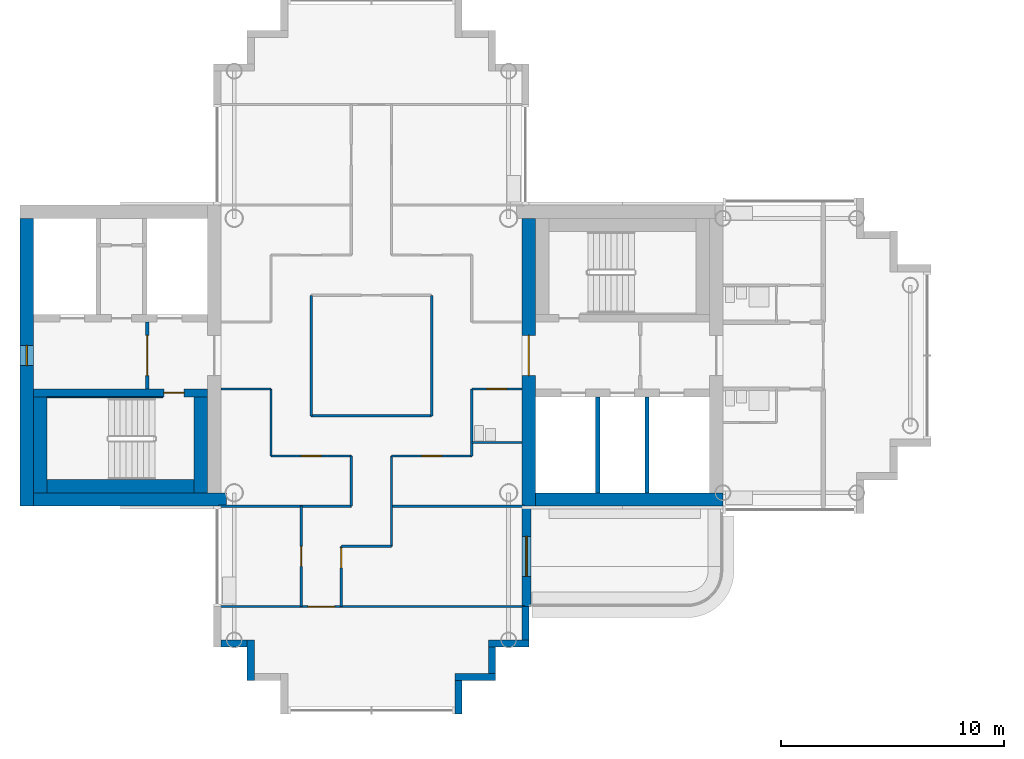
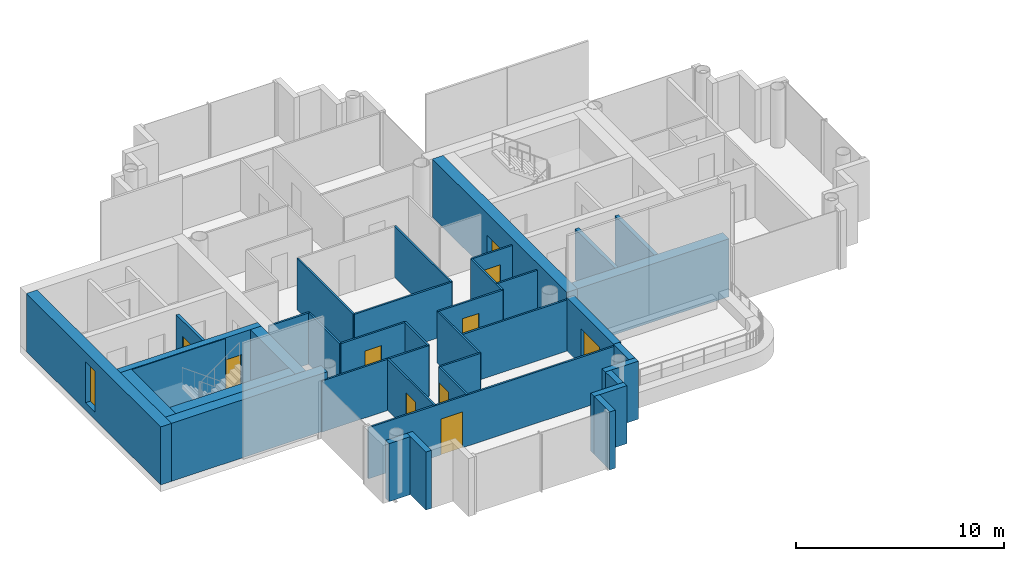
# One storey, part 6 of 18: 38 walls, 10 doors, 1 window, 11 openings.
"""IFC4 building model written with IfcOpenShell, lengths in metres."""

from ifc_helpers import new_model, si_unit, direction, frame, frame_2d, origin, place, context, subcontext, project, spatial, rectangle, extrude, material, layer, layer_set, type_object, element, fill, save


model = new_model("IFC4")

# Units and contexts
model_context = context("Model", 3, precision=1e-05, world=origin(), true_north=direction((0.0, 1.0)))
body_context = subcontext(model_context, "Body", "Model", "MODEL_VIEW")
ifc_project = project(units=[si_unit("LENGTHUNIT", "METRE"), si_unit("AREAUNIT", "SQUARE_METRE"), si_unit("VOLUMEUNIT", "CUBIC_METRE"), si_unit("PLANEANGLEUNIT", "RADIAN"), si_unit("MASSUNIT", "GRAM", prefix="KILO")], contexts=[model_context])

# Site, building, storey
site_placement = place(None, origin())
site = spatial("IfcSite", under=ifc_project, at=site_placement, CompositionType="ELEMENT")
building_placement = place(site_placement, origin())
building = spatial("IfcBuilding", under=site, at=building_placement, Name="Ipe Terrace Towers", CompositionType="ELEMENT")
storey_placement = place(building_placement, frame((0.0, 0.0, 226.60009765625)))
storey = spatial("IfcBuildingStorey", under=building, at=storey_placement, Name="L63", CompositionType="ELEMENT", Elevation=226.60009765625)

# Wall, opening, door
ifc_material_1 = material(Name="Concrete C40/50 with buff precast cladding", Category="concrete")
ifc_layer_1 = layer(ifc_material_1, 0.39990234375)
ifc_layer_set_1 = layer_set([ifc_layer_1], Name="BALCONY BAY WALL 400")
wall_type_1 = type_object("IfcWallType", Name="BALCONY BAY WALL 400", PredefinedType="STANDARD", material=ifc_layer_set_1)
wall_1_placement = place(storey_placement, frame((-29.050048828125, -11.25, -0.02001953125), z_axis=(0.0, 0.0, 1.0), x_axis=(0.0, 1.0, 0.0)))
wall_1 = element("IfcWall", 1, at=wall_1_placement, inside=storey, type_object=wall_type_1, Name="T1-W-L63-14a wall", PredefinedType="STANDARD", context=body_context, shape_type="SweptSolid", body=[
    extrude(rectangle(XDim=4.5, YDim=0.39990234375, at=frame_2d((2.25, 0.0))), origin(), (0.0, 0.0, 1.0), 3.119873046875),
])
opening_1_placement = place(wall_1_placement, frame((1.35009765625, 0.0, 0.02001953125)))
opening_1 = element("IfcOpeningElement", 2, at=opening_1_placement, cuts=wall_1, Name="Opening T1-D-L63-14", PredefinedType="OPENING", context=body_context, shape_type="SweptSolid", body=[
    extrude(rectangle(XDim=1.800048828125, YDim=2.10009765625, at=frame_2d((0.89990234375, 1.050048828125))), frame((0.0, 0.2099609375, 0.0), z_axis=(0.0, -1.0, 0.0), x_axis=(1.0, 0.0, 0.0)), (0.0, 0.0, 1.0), 0.419921875),
])
ifc_material_2 = material(Name="Aluminium alloy 6063-T6 framed glazed door", Category="aluminium")
door_type_1 = type_object("IfcDoorType", Name="BALCONY DOOR 1800 x 2100 LEFT", OperationType="SINGLE_SWING_LEFT", PredefinedType="DOOR", material=ifc_material_2)
door_1_placement = place(opening_1_placement, origin())
door_1 = element("IfcDoor", 3, at=door_1_placement, inside=storey, type_object=door_type_1, Name="DB1 door", OperationType="SINGLE_SWING_LEFT", OverallHeight=2.10009765625, OverallWidth=1.800048828125, PredefinedType="DOOR", context=body_context, shape_type="SweptSolid", body=[
    extrude(rectangle(XDim=1.800048828125, YDim=2.10009765625, at=frame_2d((0.89990234375, 1.050048828125))), frame((0.0, 0.02490234375, 0.0), z_axis=(0.0, -1.0, 0.0), x_axis=(1.0, 0.0, 0.0)), (0.0, 0.0, 1.0), 0.050048828125),
])
fill(opening_1, door_1)

# Walls
ifc_material_3 = material(Name="Concrete C40/50 with buff precast cladding", Category="concrete")
ifc_layer_2 = layer(ifc_material_3, 0.320068359375)
ifc_layer_set_2 = layer_set([ifc_layer_2], Name="BUFF CLADDING WALL 320")
wall_type_2 = type_object("IfcWallType", Name="BUFF CLADDING WALL 320", PredefinedType="STANDARD", material=ifc_layer_set_2)
wall_2_placement = place(storey_placement, frame((-42.75, -12.909912109375, -0.300048828125), z_axis=(0.0, 0.0, 1.0), x_axis=(1.0, 0.0, 0.0)))
element("IfcWall", 4, at=wall_2_placement, inside=storey, type_object=wall_type_2, Name="T1-W-L63-04a wall", PredefinedType="STANDARD", context=body_context, shape_type="SweptSolid", body=[
    extrude(rectangle(XDim=1.179931640625, YDim=0.320068359375, at=frame_2d((0.58984375, 0.0))), origin(), (0.0, 0.0, 1.0), 3.39990234375),
])
wall_3_placement = place(storey_placement, frame((-41.409912109375, -12.75, -0.300048828125), z_axis=(0.0, 0.0, 1.0), x_axis=(0.0, -1.0, 0.0)))
element("IfcWall", 5, at=wall_3_placement, inside=storey, type_object=wall_type_2, Name="T1-W-L63-05a wall", PredefinedType="STANDARD", context=body_context, shape_type="SweptSolid", body=[
    extrude(rectangle(XDim=1.820068359375, YDim=0.320068359375, at=frame_2d((0.91015625, 0.0))), origin(), (0.0, 0.0, 1.0), 3.39990234375),
])
wall_4_placement = place(storey_placement, frame((-32.090087890625, -16.070068359375, -0.300048828125), z_axis=(0.0, 0.0, 1.0), x_axis=(0.0, 1.0, 0.0)))
element("IfcWall", 6, at=wall_4_placement, inside=storey, type_object=wall_type_2, Name="T1-W-L63-09a wall", PredefinedType="STANDARD", context=body_context, shape_type="SweptSolid", body=[
    extrude(rectangle(XDim=1.5, YDim=0.320068359375, at=frame_2d((0.75, 0.0))), origin(), (0.0, 0.0, 1.0), 3.39990234375),
])
wall_5_placement = place(storey_placement, frame((-32.25, -14.409912109375, -0.300048828125), z_axis=(0.0, 0.0, 1.0), x_axis=(1.0, 0.0, 0.0)))
element("IfcWall", 7, at=wall_5_placement, inside=storey, type_object=wall_type_2, Name="T1-W-L63-10a wall", PredefinedType="STANDARD", context=body_context, shape_type="SweptSolid", body=[
    extrude(rectangle(XDim=1.820068359375, YDim=0.320068359375, at=frame_2d((0.91015625, 0.0))), origin(), (0.0, 0.0, 1.0), 3.39990234375),
])
wall_6_placement = place(storey_placement, frame((-30.590087890625, -14.25, -0.300048828125), z_axis=(0.0, 0.0, 1.0), x_axis=(0.0, 1.0, 0.0)))
element("IfcWall", 8, at=wall_6_placement, inside=storey, type_object=wall_type_2, Name="T1-W-L63-11a wall", PredefinedType="STANDARD", context=body_context, shape_type="SweptSolid", body=[
    extrude(rectangle(XDim=1.179931640625, YDim=0.320068359375, at=frame_2d((0.58984375, 0.0))), origin(), (0.0, 0.0, 1.0), 3.39990234375),
])
wall_7_placement = place(storey_placement, frame((-30.75, -12.909912109375, -0.300048828125), z_axis=(0.0, 0.0, 1.0), x_axis=(1.0, 0.0, 0.0)))
element("IfcWall", 9, at=wall_7_placement, inside=storey, type_object=wall_type_2, Name="T1-W-L63-12a wall", PredefinedType="STANDARD", context=body_context, shape_type="SweptSolid", body=[
    extrude(rectangle(XDim=1.820068359375, YDim=0.320068359375, at=frame_2d((0.91015625, 0.0))), origin(), (0.0, 0.0, 1.0), 3.39990234375),
])
wall_8_placement = place(storey_placement, frame((-29.090087890625, -12.75, -0.300048828125), z_axis=(0.0, 0.0, 1.0), x_axis=(0.0, 1.0, 0.0)))
element("IfcWall", 10, at=wall_8_placement, inside=storey, type_object=wall_type_2, Name="T1-W-L63-13a wall", PredefinedType="STANDARD", context=body_context, shape_type="SweptSolid", body=[
    extrude(rectangle(XDim=1.5, YDim=0.320068359375, at=frame_2d((0.75, 0.0))), origin(), (0.0, 0.0, 1.0), 3.39990234375),
])
ifc_material_4 = material(Name="Gypsum board partition", Category="plasterboard")
ifc_layer_3 = layer(ifc_material_4, 0.10009765625)
ifc_layer_set_3 = layer_set([ifc_layer_3], Name="Gypsum board partition 100 mm")
wall_type_3 = type_object("IfcWallType", Name="Gypsum board partition 100 mm", PredefinedType="PARTITIONING", material=ifc_layer_set_3)
wall_9_placement = place(storey_placement, frame((-40.5, -4.5, 0.0), z_axis=(0.0, 0.0, 1.0), x_axis=(0.0, 1.0, 0.0)))
element("IfcWall", 11, at=wall_9_placement, inside=storey, type_object=wall_type_3, Name="Gypsum board partition T1 L63 W01", PredefinedType="PARTITIONING", context=body_context, shape_type="SweptSolid", body=[
    extrude(rectangle(XDim=3.0, YDim=0.10009765625, at=frame_2d((1.5, 0.0))), origin(), (0.0, 0.0, 1.0), 3.0),
])

# Wall, opening, door
wall_10_placement = place(storey_placement, frame((-39.14990234375, -11.25, 0.0), z_axis=(0.0, 0.0, 1.0), x_axis=(0.0, 1.0, 0.0)))
wall_10 = element("IfcWall", 12, at=wall_10_placement, inside=storey, type_object=wall_type_3, Name="Gypsum board partition T1 L63 W03", PredefinedType="PARTITIONING", context=body_context, shape_type="SweptSolid", body=[
    extrude(rectangle(XDim=4.5, YDim=0.10009765625, at=frame_2d((2.25, 0.0))), origin(), (0.0, 0.0, 1.0), 3.0),
])
opening_2_placement = place(wall_10_placement, frame((1.800048828125, 0.0, 0.0)))
opening_2 = element("IfcOpeningElement", 13, at=opening_2_placement, cuts=wall_10, Name="Opening T1-Z4A-11", PredefinedType="OPENING", context=body_context, shape_type="SweptSolid", body=[
    extrude(rectangle(XDim=0.89990234375, YDim=2.10009765625, at=frame_2d((0.449951171875, 1.050048828125))), frame((0.0, 0.06005859375, 0.0), z_axis=(0.0, -1.0, 0.0), x_axis=(1.0, 0.0, 0.0)), (0.0, 0.0, 1.0), 0.1201171875),
])
ifc_material_5 = material(Name="Timber door leaf", Category="wood")
door_type_2 = type_object("IfcDoorType", Name="Lounge door 900 x 2100", OperationType="NOTDEFINED", PredefinedType="DOOR", material=ifc_material_5)
door_2_placement = place(opening_2_placement, origin())
door_2 = element("IfcDoor", 14, at=door_2_placement, inside=storey, type_object=door_type_2, Name="Lounge door T1-Z4A-11", OperationType="SINGLE_SWING_LEFT", OverallHeight=2.10009765625, OverallWidth=0.89990234375, PredefinedType="DOOR", context=body_context, shape_type="SweptSolid", body=[
    extrude(rectangle(XDim=0.89990234375, YDim=2.10009765625, at=frame_2d((0.449951171875, 1.050048828125))), frame((0.0, 0.02490234375, 0.0), z_axis=(0.0, -1.0, 0.0), x_axis=(1.0, 0.0, 0.0)), (0.0, 0.0, 1.0), 0.050048828125),
])
fill(opening_2, door_2)

# Wall
wall_11_placement = place(storey_placement, frame((-38.699951171875, -2.699951171875, 0.0), z_axis=(0.0, 0.0, 1.0), x_axis=(0.0, 1.0, 0.0)))
element("IfcWall", 15, at=wall_11_placement, inside=storey, type_object=wall_type_3, Name="Gypsum board partition T1 L63 W04", PredefinedType="PARTITIONING", context=body_context, shape_type="SweptSolid", body=[
    extrude(rectangle(XDim=5.39990234375, YDim=0.10009765625, at=frame_2d((2.699951171875, 0.0))), origin(), (0.0, 0.0, 1.0), 3.0),
])

# Wall, opening, door
wall_12_placement = place(storey_placement, frame((-37.35009765625, -11.25, 0.0), z_axis=(0.0, 0.0, 1.0), x_axis=(0.0, 1.0, 0.0)))
wall_12 = element("IfcWall", 16, at=wall_12_placement, inside=storey, type_object=wall_type_3, Name="Gypsum board partition T1 L63 W05", PredefinedType="PARTITIONING", context=body_context, shape_type="SweptSolid", body=[
    extrude(rectangle(XDim=2.699951171875, YDim=0.10009765625, at=frame_2d((1.35009765625, 0.0))), origin(), (0.0, 0.0, 1.0), 3.0),
])
opening_3_placement = place(wall_12_placement, frame((1.72998046875, 0.0, 0.0)))
opening_3 = element("IfcOpeningElement", 17, at=opening_3_placement, cuts=wall_12, Name="Opening T1-Z4A-10", PredefinedType="OPENING", context=body_context, shape_type="SweptSolid", body=[
    extrude(rectangle(XDim=0.89990234375, YDim=2.10009765625, at=frame_2d((0.449951171875, 1.050048828125))), frame((0.0, 0.06005859375, 0.0), z_axis=(0.0, -1.0, 0.0), x_axis=(1.0, 0.0, 0.0)), (0.0, 0.0, 1.0), 0.1201171875),
])
door_3_placement = place(opening_3_placement, origin())
door_3 = element("IfcDoor", 18, at=door_3_placement, inside=storey, type_object=door_type_2, Name="Lounge door T1-Z4A-10", OperationType="SINGLE_SWING_RIGHT", OverallHeight=2.10009765625, OverallWidth=0.89990234375, PredefinedType="DOOR", context=body_context, shape_type="SweptSolid", body=[
    extrude(rectangle(XDim=0.89990234375, YDim=2.10009765625, at=frame_2d((0.449951171875, 1.050048828125))), frame((0.0, 0.02490234375, 0.0), z_axis=(0.0, -1.0, 0.0), x_axis=(1.0, 0.0, 0.0)), (0.0, 0.0, 1.0), 0.050048828125),
])
fill(opening_3, door_3)

# Walls
wall_13_placement = place(storey_placement, frame((-36.89990234375, -6.75, 0.0), z_axis=(0.0, 0.0, 1.0), x_axis=(0.0, 1.0, 0.0)))
element("IfcWall", 19, at=wall_13_placement, inside=storey, type_object=wall_type_3, Name="Gypsum board partition T1 L63 W06", PredefinedType="PARTITIONING", context=body_context, shape_type="SweptSolid", body=[
    extrude(rectangle(XDim=2.25, YDim=0.10009765625, at=frame_2d((1.125, 0.0))), origin(), (0.0, 0.0, 1.0), 3.0),
])
wall_14_placement = place(storey_placement, frame((-35.10009765625, -8.550048828125, 0.0), z_axis=(0.0, 0.0, 1.0), x_axis=(0.0, 1.0, 0.0)))
element("IfcWall", 20, at=wall_14_placement, inside=storey, type_object=wall_type_3, Name="Gypsum board partition T1 L63 W08", PredefinedType="PARTITIONING", context=body_context, shape_type="SweptSolid", body=[
    extrude(rectangle(XDim=4.050048828125, YDim=0.10009765625, at=frame_2d((2.02490234375, 0.0))), origin(), (0.0, 0.0, 1.0), 3.0),
])
wall_15_placement = place(storey_placement, frame((-33.300048828125, -2.699951171875, 0.0), z_axis=(0.0, 0.0, 1.0), x_axis=(0.0, 1.0, 0.0)))
element("IfcWall", 21, at=wall_15_placement, inside=storey, type_object=wall_type_3, Name="Gypsum board partition T1 L63 W10", PredefinedType="PARTITIONING", context=body_context, shape_type="SweptSolid", body=[
    extrude(rectangle(XDim=5.39990234375, YDim=0.10009765625, at=frame_2d((2.699951171875, 0.0))), origin(), (0.0, 0.0, 1.0), 3.0),
])
wall_16_placement = place(storey_placement, frame((-31.5, -4.5, 0.0), z_axis=(0.0, 0.0, 1.0), x_axis=(0.0, 1.0, 0.0)))
element("IfcWall", 22, at=wall_16_placement, inside=storey, type_object=wall_type_3, Name="Gypsum board partition T1 L63 W11", PredefinedType="PARTITIONING", context=body_context, shape_type="SweptSolid", body=[
    extrude(rectangle(XDim=3.0, YDim=0.10009765625, at=frame_2d((1.5, 0.0))), origin(), (0.0, 0.0, 1.0), 3.0),
])

# Wall, opening, door
wall_17_placement = place(storey_placement, frame((-42.85009765625, -11.25, 0.0), z_axis=(0.0, 0.0, 1.0), x_axis=(1.0, 0.0, 0.0)))
wall_17 = element("IfcWall", 23, at=wall_17_placement, inside=storey, type_object=wall_type_3, Name="Gypsum board partition T1 L63 W18", PredefinedType="PARTITIONING", context=body_context, shape_type="SweptSolid", body=[
    extrude(rectangle(XDim=13.7001953125, YDim=0.10009765625, at=frame_2d((6.85009765625, 0.0))), origin(), (0.0, 0.0, 1.0), 3.0),
])
opening_4_placement = place(wall_17_placement, frame((4.0, 0.0, 0.0)))
opening_4 = element("IfcOpeningElement", 24, at=opening_4_placement, cuts=wall_17, Name="Opening T1-Z4A-12", PredefinedType="OPENING", context=body_context, shape_type="SweptSolid", body=[
    extrude(rectangle(XDim=1.199951171875, YDim=2.10009765625, at=frame_2d((0.60009765625, 1.050048828125))), frame((0.0, 0.06005859375, 0.0), z_axis=(0.0, -1.0, 0.0), x_axis=(1.0, 0.0, 0.0)), (0.0, 0.0, 1.0), 0.1201171875),
])
ifc_material_6 = material(Name="Timber door leaf", Category="wood")
door_type_3 = type_object("IfcDoorType", Name="Lounge door 1200 x 2100", OperationType="NOTDEFINED", PredefinedType="DOOR", material=ifc_material_6)
door_4_placement = place(opening_4_placement, origin())
door_4 = element("IfcDoor", 25, at=door_4_placement, inside=storey, type_object=door_type_3, Name="Lounge door T1-Z4A-12", OperationType="SINGLE_SWING_LEFT", OverallHeight=2.10009765625, OverallWidth=1.199951171875, PredefinedType="DOOR", context=body_context, shape_type="SweptSolid", body=[
    extrude(rectangle(XDim=1.199951171875, YDim=2.10009765625, at=frame_2d((0.60009765625, 1.050048828125))), frame((0.0, 0.02490234375, 0.0), z_axis=(0.0, -1.0, 0.0), x_axis=(1.0, 0.0, 0.0)), (0.0, 0.0, 1.0), 0.050048828125),
])
fill(opening_4, door_4)

# Walls
wall_18_placement = place(storey_placement, frame((-37.35009765625, -8.550048828125, 0.0), z_axis=(0.0, 0.0, 1.0), x_axis=(1.0, 0.0, 0.0)))
element("IfcWall", 26, at=wall_18_placement, inside=storey, type_object=wall_type_3, Name="Gypsum board partition T1 L63 W19", PredefinedType="PARTITIONING", context=body_context, shape_type="SweptSolid", body=[
    extrude(rectangle(XDim=2.25, YDim=0.10009765625, at=frame_2d((1.125, 0.0))), origin(), (0.0, 0.0, 1.0), 3.0),
])
for number, where, z_axis, x_axis, name in (
    (27, (-42.85009765625, -6.75, 0.0), (0.0, 0.0, 1.0), (1.0, 0.0, 0.0), "Gypsum board partition T1 L63 W20"),
    (28, (-35.10009765625, -6.75, 0.0), (0.0, 0.0, 1.0), (1.0, 0.0, 0.0), "Gypsum board partition T1 L63 W21"),
):
    element("IfcWall", number, at=place(storey_placement, frame(where, z_axis=z_axis, x_axis=x_axis)), inside=storey, type_object=wall_type_3, Name=name, PredefinedType="PARTITIONING", context=body_context, shape_type="SweptSolid", body=[
        extrude(rectangle(XDim=5.9501953125, YDim=0.10009765625, at=frame_2d((2.97509765625, 0.0))), origin(), (0.0, 0.0, 1.0), 3.0),
    ])

# Wall, opening, door
wall_19_placement = place(storey_placement, frame((-40.5, -4.5, 0.0), z_axis=(0.0, 0.0, 1.0), x_axis=(1.0, 0.0, 0.0)))
wall_19 = element("IfcWall", 29, at=wall_19_placement, inside=storey, type_object=wall_type_3, Name="Gypsum board partition T1 L63 W22", PredefinedType="PARTITIONING", context=body_context, shape_type="SweptSolid", body=[
    extrude(rectangle(XDim=3.60009765625, YDim=0.10009765625, at=frame_2d((1.800048828125, 0.0))), origin(), (0.0, 0.0, 1.0), 3.0),
])
opening_5_placement = place(wall_19_placement, frame((1.35009765625, 0.0, 0.0)))
opening_5 = element("IfcOpeningElement", 30, at=opening_5_placement, cuts=wall_19, Name="Opening T1-Z4A-05", PredefinedType="OPENING", context=body_context, shape_type="SweptSolid", body=[
    extrude(rectangle(XDim=0.89990234375, YDim=2.10009765625, at=frame_2d((0.449951171875, 1.050048828125))), frame((0.0, 0.06005859375, 0.0), z_axis=(0.0, -1.0, 0.0), x_axis=(1.0, 0.0, 0.0)), (0.0, 0.0, 1.0), 0.1201171875),
])
door_5_placement = place(opening_5_placement, origin())
door_5 = element("IfcDoor", 31, at=door_5_placement, inside=storey, type_object=door_type_2, Name="Lounge door T1-Z4A-05", OperationType="SINGLE_SWING_RIGHT", OverallHeight=2.10009765625, OverallWidth=0.89990234375, PredefinedType="DOOR", context=body_context, shape_type="SweptSolid", body=[
    extrude(rectangle(XDim=0.89990234375, YDim=2.10009765625, at=frame_2d((0.449951171875, 1.050048828125))), frame((0.0, 0.02490234375, 0.0), z_axis=(0.0, -1.0, 0.0), x_axis=(1.0, 0.0, 0.0)), (0.0, 0.0, 1.0), 0.050048828125),
])
fill(opening_5, door_5)

wall_20_placement = place(storey_placement, frame((-35.10009765625, -4.5, 0.0), z_axis=(0.0, 0.0, 1.0), x_axis=(1.0, 0.0, 0.0)))
wall_20 = element("IfcWall", 32, at=wall_20_placement, inside=storey, type_object=wall_type_3, Name="Gypsum board partition T1 L63 W23", PredefinedType="PARTITIONING", context=body_context, shape_type="SweptSolid", body=[
    extrude(rectangle(XDim=3.60009765625, YDim=0.10009765625, at=frame_2d((1.800048828125, 0.0))), origin(), (0.0, 0.0, 1.0), 3.0),
])
opening_6_placement = place(wall_20_placement, frame((1.35009765625, 0.0, 0.0)))
opening_6 = element("IfcOpeningElement", 33, at=opening_6_placement, cuts=wall_20, Name="Opening T1-Z4A-06", PredefinedType="OPENING", context=body_context, shape_type="SweptSolid", body=[
    extrude(rectangle(XDim=0.89990234375, YDim=2.10009765625, at=frame_2d((0.449951171875, 1.050048828125))), frame((0.0, 0.06005859375, 0.0), z_axis=(0.0, -1.0, 0.0), x_axis=(1.0, 0.0, 0.0)), (0.0, 0.0, 1.0), 0.1201171875),
])
door_6_placement = place(opening_6_placement, origin())
door_6 = element("IfcDoor", 34, at=door_6_placement, inside=storey, type_object=door_type_2, Name="Lounge door T1-Z4A-06", OperationType="SINGLE_SWING_RIGHT", OverallHeight=2.10009765625, OverallWidth=0.89990234375, PredefinedType="DOOR", context=body_context, shape_type="SweptSolid", body=[
    extrude(rectangle(XDim=0.89990234375, YDim=2.10009765625, at=frame_2d((0.449951171875, 1.050048828125))), frame((0.0, 0.02490234375, 0.0), z_axis=(0.0, -1.0, 0.0), x_axis=(1.0, 0.0, 0.0)), (0.0, 0.0, 1.0), 0.050048828125),
])
fill(opening_6, door_6)

# Walls
wall_21_placement = place(storey_placement, frame((-31.5, -3.89990234375, 0.0), z_axis=(0.0, 0.0, 1.0), x_axis=(1.0, 0.0, 0.0)))
element("IfcWall", 35, at=wall_21_placement, inside=storey, type_object=wall_type_3, Name="Gypsum board partition T1 L63 W24", PredefinedType="PARTITIONING", context=body_context, shape_type="SweptSolid", body=[
    extrude(rectangle(XDim=2.25, YDim=0.10009765625, at=frame_2d((1.125, 0.0))), origin(), (0.0, 0.0, 1.0), 3.0),
])
wall_22_placement = place(storey_placement, frame((-38.699951171875, -2.699951171875, 0.0), z_axis=(0.0, 0.0, 1.0), x_axis=(1.0, 0.0, 0.0)))
element("IfcWall", 36, at=wall_22_placement, inside=storey, type_object=wall_type_3, Name="Gypsum board partition T1 L63 W26", PredefinedType="PARTITIONING", context=body_context, shape_type="SweptSolid", body=[
    extrude(rectangle(XDim=5.39990234375, YDim=0.10009765625, at=frame_2d((2.699951171875, 0.0))), origin(), (0.0, 0.0, 1.0), 3.0),
])
wall_23_placement = place(storey_placement, frame((-42.75, -1.5, 0.0), z_axis=(0.0, 0.0, 1.0), x_axis=(1.0, 0.0, 0.0)))
element("IfcWall", 37, at=wall_23_placement, inside=storey, type_object=wall_type_3, Name="Gypsum board partition T1 L63 W27", PredefinedType="PARTITIONING", context=body_context, shape_type="SweptSolid", body=[
    extrude(rectangle(XDim=2.25, YDim=0.10009765625, at=frame_2d((1.125, 0.0))), origin(), (0.0, 0.0, 1.0), 3.0),
])

# Wall, opening, door
wall_24_placement = place(storey_placement, frame((-31.5, -1.5, 0.0), z_axis=(0.0, 0.0, 1.0), x_axis=(1.0, 0.0, 0.0)))
wall_24 = element("IfcWall", 38, at=wall_24_placement, inside=storey, type_object=wall_type_3, Name="Gypsum board partition T1 L63 W28", PredefinedType="PARTITIONING", context=body_context, shape_type="SweptSolid", body=[
    extrude(rectangle(XDim=2.25, YDim=0.10009765625, at=frame_2d((1.125, 0.0))), origin(), (0.0, 0.0, 1.0), 3.0),
])
opening_7_placement = place(wall_24_placement, frame((0.675048828125, 0.0, 0.0)))
opening_7 = element("IfcOpeningElement", 39, at=opening_7_placement, cuts=wall_24, Name="Opening T1-Z4A-02", PredefinedType="OPENING", context=body_context, shape_type="SweptSolid", body=[
    extrude(rectangle(XDim=0.89990234375, YDim=2.10009765625, at=frame_2d((0.449951171875, 1.050048828125))), frame((0.0, 0.06005859375, 0.0), z_axis=(0.0, -1.0, 0.0), x_axis=(1.0, 0.0, 0.0)), (0.0, 0.0, 1.0), 0.1201171875),
])
ifc_material_7 = material(Name="Timber door leaf", Category="wood")
door_type_4 = type_object("IfcDoorType", Name="Bathroom door 900 x 2100", OperationType="NOTDEFINED", PredefinedType="DOOR", material=ifc_material_7)
door_7_placement = place(opening_7_placement, origin())
door_7 = element("IfcDoor", 40, at=door_7_placement, inside=storey, type_object=door_type_4, Name="Bathroom door T1-Z4A-02", OperationType="SINGLE_SWING_RIGHT", OverallHeight=2.10009765625, OverallWidth=0.89990234375, PredefinedType="DOOR", context=body_context, shape_type="SweptSolid", body=[
    extrude(rectangle(XDim=0.89990234375, YDim=2.10009765625, at=frame_2d((0.449951171875, 1.050048828125))), frame((0.0, 0.02490234375, 0.0), z_axis=(0.0, -1.0, 0.0), x_axis=(1.0, 0.0, 0.0)), (0.0, 0.0, 1.0), 0.050048828125),
])
fill(opening_7, door_7)

ifc_material_8 = material(Name="Gypsum board partition", Category="plasterboard")
ifc_layer_4 = layer(ifc_material_8, 0.14990234375)
ifc_layer_set_4 = layer_set([ifc_layer_4], Name="Gypsum board partition 150 mm")
wall_type_4 = type_object("IfcWallType", Name="Gypsum board partition 150 mm", PredefinedType="PARTITIONING", material=ifc_layer_set_4)
wall_25_placement = place(storey_placement, frame((-46.050048828125, 1.5, 0.0), z_axis=(0.0, 0.0, 1.0), x_axis=(0.0, -1.0, 0.0)))
wall_25 = element("IfcWall", 41, at=wall_25_placement, inside=storey, type_object=wall_type_4, Name="Gypsum board partition T1 L63 t1c2-lobby-wall", PredefinedType="PARTITIONING", context=body_context, shape_type="SweptSolid", body=[
    extrude(rectangle(XDim=3.0, YDim=0.14990234375, at=frame_2d((1.5, 0.0))), origin(), (0.0, 0.0, 1.0), 3.0),
])
opening_8_placement = place(wall_25_placement, frame((0.60009765625, 0.0, 0.0)))
opening_8 = element("IfcOpeningElement", 42, at=opening_8_placement, cuts=wall_25, Name="Opening T1C2-VD", PredefinedType="OPENING", context=body_context, shape_type="SweptSolid", body=[
    extrude(rectangle(XDim=1.800048828125, YDim=2.10009765625, at=frame_2d((0.89990234375, 1.050048828125))), frame((0.0, 0.0849609375, 0.0), z_axis=(0.0, -1.0, 0.0), x_axis=(1.0, 0.0, 0.0)), (0.0, 0.0, 1.0), 0.169921875),
])
ifc_material_9 = material(Name="Fire-rated timber door leaf", Category="wood")
door_type_5 = type_object("IfcDoorType", Name="Lobby door 1800 x 2100 FD60", OperationType="NOTDEFINED", PredefinedType="DOOR", material=ifc_material_9)
door_8_placement = place(opening_8_placement, origin())
door_8 = element("IfcDoor", 43, at=door_8_placement, inside=storey, type_object=door_type_5, Name="Lobby door T1C2-VD", OperationType="SINGLE_SWING_LEFT", OverallHeight=2.10009765625, OverallWidth=1.800048828125, PredefinedType="DOOR", context=body_context, shape_type="SweptSolid", body=[
    extrude(rectangle(XDim=1.800048828125, YDim=2.10009765625, at=frame_2d((0.89990234375, 1.050048828125))), frame((0.0, 0.02490234375, 0.0), z_axis=(0.0, -1.0, 0.0), x_axis=(1.0, 0.0, 0.0)), (0.0, 0.0, 1.0), 0.050048828125),
])
fill(opening_8, door_8)

# Walls
ifc_material_10 = material(Name="Gypsum board party wall", Category="plasterboard")
ifc_layer_5 = layer(ifc_material_10, 0.199951171875)
ifc_layer_set_5 = layer_set([ifc_layer_5], Name="Gypsum board party wall 200 mm")
wall_type_5 = type_object("IfcWallType", Name="Gypsum board party wall 200 mm", PredefinedType="SOLIDWALL", material=ifc_layer_set_5)
for number, where, z_axis, x_axis, name in (
    (44, (-25.85009765625, -6.14990234375, 0.0), (0.0, 0.0, 1.0), (0.0, 1.0, 0.0), "Gypsum board party wall T1 L63 t1c1-shaft-div1"),
    (45, (-23.64990234375, -6.14990234375, 0.0), (0.0, 0.0, 1.0), (0.0, 1.0, 0.0), "Gypsum board party wall T1 L63 t1c1-shaft-div2"),
):
    element("IfcWall", number, at=place(storey_placement, frame(where, z_axis=z_axis, x_axis=x_axis)), inside=storey, type_object=wall_type_5, Name=name, PredefinedType="SOLIDWALL", context=body_context, shape_type="SweptSolid", body=[
        extrude(rectangle(XDim=4.2998046875, YDim=0.199951171875, at=frame_2d((2.14990234375, 0.0))), origin(), (0.0, 0.0, 1.0), 3.0),
    ])

# Wall, opening, door
ifc_material_11 = material(Name="Concrete C40/50", Category="concrete")
ifc_layer_6 = layer(ifc_material_11, 0.35009765625)
ifc_layer_set_6 = layer_set([ifc_layer_6], Name="RW350 CORE SPINE WALL 350 C40-50")
wall_type_6 = type_object("IfcWallType", Name="RW350 CORE SPINE WALL 350 C40-50", PredefinedType="SHEAR", material=ifc_layer_set_6)
wall_26_placement = place(storey_placement, frame((-51.14990234375, -1.675048828125, 0.0), z_axis=(0.0, 0.0, 1.0), x_axis=(1.0, 0.0, 0.0)))
wall_26 = element("IfcWall", 46, at=wall_26_placement, inside=storey, type_object=wall_type_6, Name="Core spine wall T1-C2-Z4-SW1", PredefinedType="SHEAR", context=body_context, shape_type="SweptSolid", body=[
    extrude(rectangle(XDim=7.7998046875, YDim=0.35009765625, at=frame_2d((3.89990234375, 0.0))), origin(), (0.0, 0.0, 1.0), 3.39990234375),
])
opening_9_placement = place(wall_26_placement, frame((5.85009765625, 0.0, 0.0)))
opening_9 = element("IfcOpeningElement", 47, at=opening_9_placement, cuts=wall_26, Name="Opening T1C2-SD", PredefinedType="OPENING", context=body_context, shape_type="SweptSolid", body=[
    extrude(rectangle(XDim=0.89990234375, YDim=2.10009765625, at=frame_2d((0.449951171875, 1.050048828125))), frame((0.0, 0.18505859375, 0.0), z_axis=(0.0, -1.0, 0.0), x_axis=(1.0, 0.0, 0.0)), (0.0, 0.0, 1.0), 0.3701171875),
])
ifc_material_12 = material(Name="Fire-rated timber door leaf", Category="wood")
door_type_6 = type_object("IfcDoorType", Name="Stair door 900 x 2100 FD60", OperationType="NOTDEFINED", PredefinedType="DOOR", material=ifc_material_12)
door_9_placement = place(opening_9_placement, origin())
door_9 = element("IfcDoor", 48, at=door_9_placement, inside=storey, type_object=door_type_6, Name="Stair door T1C2-SD", OperationType="SINGLE_SWING_RIGHT", OverallHeight=2.10009765625, OverallWidth=0.89990234375, PredefinedType="DOOR", context=body_context, shape_type="SweptSolid", body=[
    extrude(rectangle(XDim=0.89990234375, YDim=2.10009765625, at=frame_2d((0.449951171875, 1.050048828125))), frame((0.0, 0.02490234375, 0.0), z_axis=(0.0, -1.0, 0.0), x_axis=(1.0, 0.0, 0.0)), (0.0, 0.0, 1.0), 0.050048828125),
])
fill(opening_9, door_9)

# Walls
ifc_material_13 = material(Name="Concrete C40/50", Category="concrete")
ifc_layer_7 = layer(ifc_material_13, 0.050048828125)
ifc_layer_set_7 = layer_set([ifc_layer_7], Name="RW50 CORE INFILL WALL 50 C40-50")
wall_type_7 = type_object("IfcWallType", Name="RW50 CORE INFILL WALL 50 C40-50", PredefinedType="SHEAR", material=ifc_layer_set_7)
wall_27_placement = place(storey_placement, frame((-45.35009765625, -1.875, 0.0), z_axis=(0.0, 0.0, 1.0), x_axis=(-1.0, 0.0, 0.0)))
element("IfcWall", 49, at=wall_27_placement, inside=storey, type_object=wall_type_7, Name="Core infill wall T1-C2-spine-b", PredefinedType="SHEAR", context=body_context, shape_type="SweptSolid", body=[
    extrude(rectangle(XDim=5.199951171875, YDim=0.050048828125, at=frame_2d((2.60009765625, 0.0))), origin(), (0.0, 0.0, 1.0), 3.39990234375),
])
ifc_material_14 = material(Name="Concrete C40/50", Category="concrete")
ifc_layer_8 = layer(ifc_material_14, 0.60009765625)
ifc_layer_set_8 = layer_set([ifc_layer_8], Name="RW600 CORE INFILL WALL 600 C40-50")
wall_type_8 = type_object("IfcWallType", Name="RW600 CORE INFILL WALL 600 C40-50", PredefinedType="SHEAR", material=ifc_layer_set_8)
wall_28_placement = place(storey_placement, frame((-50.85009765625, -1.85009765625, 0.0), z_axis=(0.0, 0.0, 1.0), x_axis=(0.0, -1.0, 0.0)))
element("IfcWall", 50, at=wall_28_placement, inside=storey, type_object=wall_type_8, Name="Core infill wall T1-C2-far", PredefinedType="SHEAR", context=body_context, shape_type="SweptSolid", body=[
    extrude(rectangle(XDim=4.2998046875, YDim=0.60009765625, at=frame_2d((2.14990234375, 0.0))), origin(), (0.0, 0.0, 1.0), 3.39990234375),
])
wall_29_placement = place(storey_placement, frame((-43.949951171875, -5.85009765625, 0.0), z_axis=(0.0, 0.0, 1.0), x_axis=(-1.0, 0.0, 0.0)))
element("IfcWall", 51, at=wall_29_placement, inside=storey, type_object=wall_type_8, Name="Core infill wall T1-C2-back", PredefinedType="SHEAR", context=body_context, shape_type="SweptSolid", body=[
    extrude(rectangle(XDim=6.60009765625, YDim=0.60009765625, at=frame_2d((3.300048828125, 0.0))), origin(), (0.0, 0.0, 1.0), 3.39990234375),
])
wall_30_placement = place(storey_placement, frame((-43.64990234375, -1.85009765625, 0.0), z_axis=(0.0, 0.0, 1.0), x_axis=(0.0, -1.0, 0.0)))
element("IfcWall", 52, at=wall_30_placement, inside=storey, type_object=wall_type_8, Name="Core infill wall T1-C2-near", PredefinedType="SHEAR", context=body_context, shape_type="SweptSolid", body=[
    extrude(rectangle(XDim=4.2998046875, YDim=0.60009765625, at=frame_2d((2.14990234375, 0.0))), origin(), (0.0, 0.0, 1.0), 3.39990234375),
])
ifc_material_15 = material(Name="Concrete C40/50", Category="concrete")
ifc_layer_9 = layer(ifc_material_15, 0.60009765625)
ifc_layer_set_9 = layer_set([ifc_layer_9], Name="RW600 CORE WALL 600 C40-50")
wall_type_9 = type_object("IfcWallType", Name="RW600 CORE WALL 600 C40-50", PredefinedType="SHEAR", material=ifc_layer_set_9)
wall_31_placement = place(storey_placement, frame((-28.64990234375, -6.449951171875, 0.0), z_axis=(0.0, 0.0, 1.0), x_axis=(1.0, 0.0, 0.0)))
element("IfcWall", 53, at=wall_31_placement, inside=storey, type_object=wall_type_9, Name="Core wall T1-C1-Z4-W01", PredefinedType="SHEAR", context=body_context, shape_type="SweptSolid", body=[
    extrude(rectangle(XDim=8.39990234375, YDim=0.60009765625, at=frame_2d((4.199951171875, 0.0))), origin(), (0.0, 0.0, 1.0), 3.39990234375),
])

# Wall, opening, door
wall_32_placement = place(storey_placement, frame((-28.949951171875, 6.14990234375, 0.0), z_axis=(0.0, 0.0, 1.0), x_axis=(0.0, -1.0, 0.0)))
wall_32 = element("IfcWall", 54, at=wall_32_placement, inside=storey, type_object=wall_type_9, Name="Core wall T1-C1-Z4-W04", PredefinedType="SHEAR", context=body_context, shape_type="SweptSolid", body=[
    extrude(rectangle(XDim=12.89990234375, YDim=0.60009765625, at=frame_2d((6.449951171875, 0.0))), origin(), (0.0, 0.0, 1.0), 3.39990234375),
])
opening_10_placement = place(wall_32_placement, frame((5.25, 0.0, 0.0)))
opening_10 = element("IfcOpeningElement", 55, at=opening_10_placement, cuts=wall_32, Name="Opening T1C1-ND", PredefinedType="OPENING", context=body_context, shape_type="SweptSolid", body=[
    extrude(rectangle(XDim=1.800048828125, YDim=2.10009765625, at=frame_2d((0.89990234375, 1.050048828125))), frame((0.0, 0.31005859375, 0.0), z_axis=(0.0, -1.0, 0.0), x_axis=(1.0, 0.0, 0.0)), (0.0, 0.0, 1.0), 0.6201171875),
])
ifc_material_16 = material(Name="Fire-rated timber door leaf", Category="wood")
door_type_7 = type_object("IfcDoorType", Name="Fire door 1800 x 2100 FD30S", OperationType="NOTDEFINED", PredefinedType="DOOR", material=ifc_material_16)
door_10_placement = place(opening_10_placement, origin())
door_10 = element("IfcDoor", 56, at=door_10_placement, inside=storey, type_object=door_type_7, Name="Fire door T1C1-ND", OperationType="SINGLE_SWING_LEFT", OverallHeight=2.10009765625, OverallWidth=1.800048828125, PredefinedType="DOOR", context=body_context, shape_type="SweptSolid", body=[
    extrude(rectangle(XDim=1.800048828125, YDim=2.10009765625, at=frame_2d((0.89990234375, 1.050048828125))), frame((0.0, 0.02490234375, 0.0), z_axis=(0.0, -1.0, 0.0), x_axis=(1.0, 0.0, 0.0)), (0.0, 0.0, 1.0), 0.050048828125),
])
fill(opening_10, door_10)

# Wall
wall_33_placement = place(storey_placement, frame((-51.14990234375, -6.449951171875, 0.0), z_axis=(0.0, 0.0, 1.0), x_axis=(1.0, 0.0, 0.0)))
element("IfcWall", 57, at=wall_33_placement, inside=storey, type_object=wall_type_9, Name="Core wall T1-C2-Z4-W01", PredefinedType="SHEAR", context=body_context, shape_type="SweptSolid", body=[
    extrude(rectangle(XDim=8.64794921875, YDim=0.60009765625, at=frame_2d((4.323974609375, 0.0))), origin(), (0.0, 0.0, 1.0), 3.39990234375),
])

# Wall, opening, window
wall_34_placement = place(storey_placement, frame((-51.449951171875, 6.14990234375, 0.0), z_axis=(0.0, 0.0, 1.0), x_axis=(0.0, -1.0, 0.0)))
wall_34 = element("IfcWall", 58, at=wall_34_placement, inside=storey, type_object=wall_type_9, Name="Core wall T1-C2-Z4-W04", PredefinedType="SHEAR", context=body_context, shape_type="SweptSolid", body=[
    extrude(rectangle(XDim=12.89990234375, YDim=0.60009765625, at=frame_2d((6.449951171875, 0.0))), origin(), (0.0, 0.0, 1.0), 3.39990234375),
])
opening_11_placement = place(wall_34_placement, frame((5.699951171875, 0.0, 0.449951171875)))
opening_11 = element("IfcOpeningElement", 59, at=opening_11_placement, cuts=wall_34, Name="Opening T1-C2-W-01-L63", PredefinedType="OPENING", context=body_context, shape_type="SweptSolid", body=[
    extrude(rectangle(XDim=0.89990234375, YDim=2.39990234375, at=frame_2d((0.449951171875, 1.199951171875))), frame((0.0, 0.31005859375, 0.0), z_axis=(0.0, -1.0, 0.0), x_axis=(1.0, 0.0, 0.0)), (0.0, 0.0, 1.0), 0.6201171875),
])
ifc_material_17 = material(Name="Fire-resistant glazing EI 60", Category="glass")
window_type = type_object("IfcWindowType", Name="CORRIDOR END SLOT WINDOW 900 x 2400 EI 60", PartitioningType="SINGLE_PANEL", PredefinedType="WINDOW", material=ifc_material_17)
window_placement = place(opening_11_placement, origin())
window = element("IfcWindow", 60, at=window_placement, inside=storey, type_object=window_type, Name="W-01 window", OverallHeight=2.39990234375, OverallWidth=0.89990234375, PartitioningType="SINGLE_PANEL", PredefinedType="WINDOW", context=body_context, shape_type="SweptSolid", body=[
    extrude(rectangle(XDim=0.89990234375, YDim=2.39990234375, at=frame_2d((0.449951171875, 1.199951171875))), frame((0.0, 0.030029296875, 0.0), z_axis=(0.0, -1.0, 0.0), x_axis=(1.0, 0.0, 0.0)), (0.0, 0.0, 1.0), 0.06005859375),
])
fill(opening_11, window)

save(model, "model.ifc")
